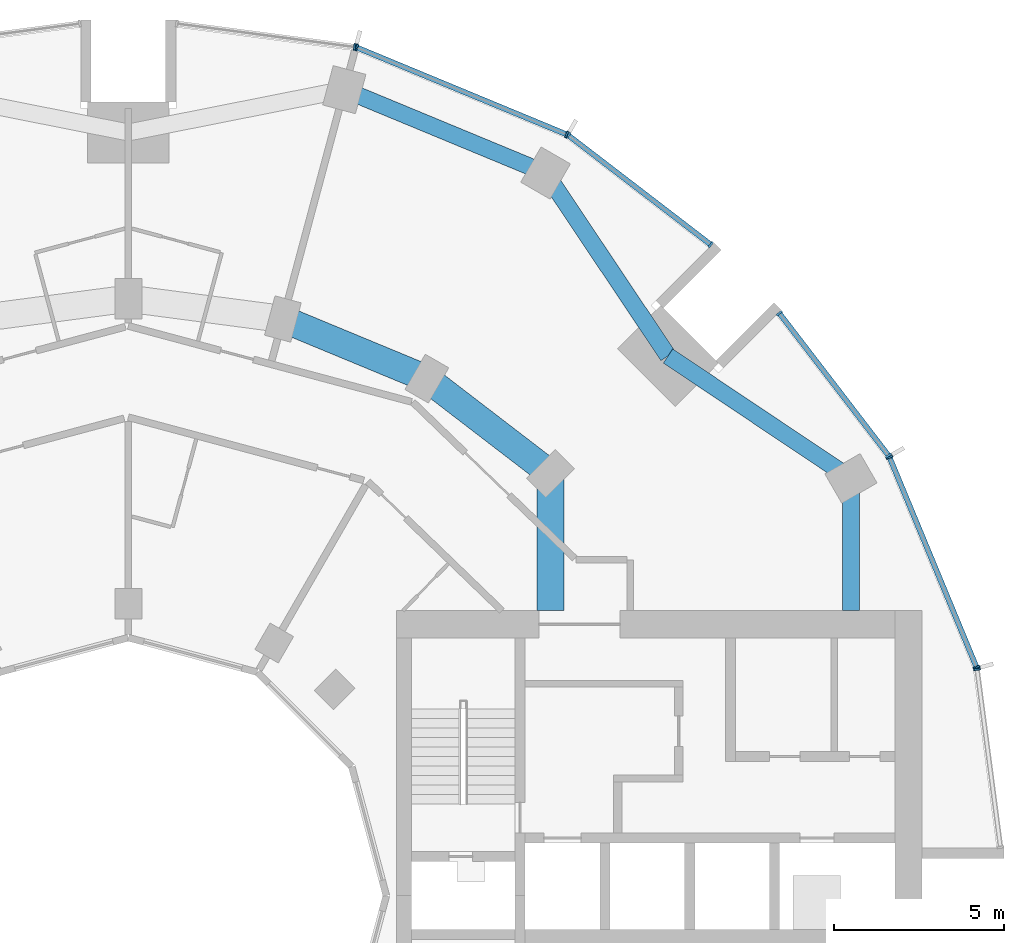
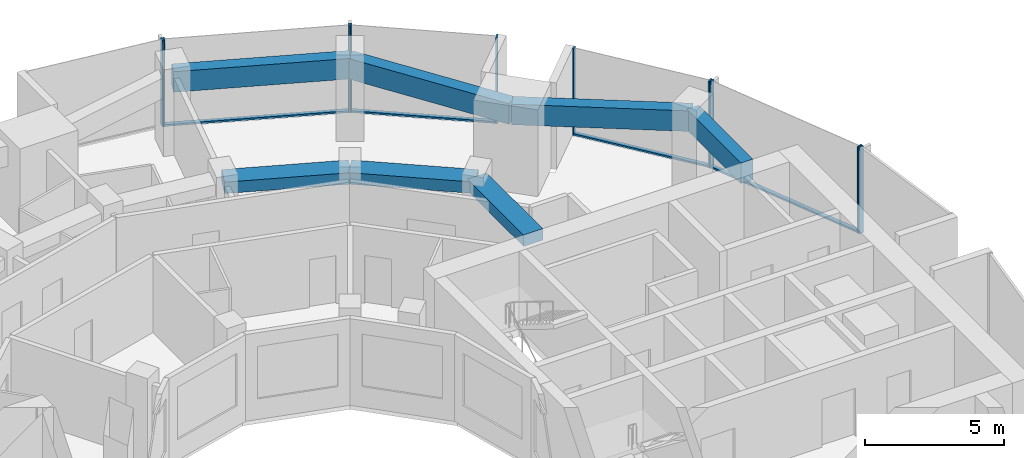
# One storey, part 6 of 15: 14 members, 7 beams, 6 elements without a shape of their own.
"""IFC4 building model written with IfcOpenShell, lengths in metres."""

from ifc_helpers import new_model, si_unit, direction, frame, origin, origin_2d, place, context, subcontext, project, spatial, rectangle, extrude, material, layer, layer_set, material_profile, profile_set, type_object, element, aggregate, save


model = new_model("IFC4")

# Units and contexts
model_context = context("Model", 3, precision=1e-05, world=origin(), true_north=direction((0.0, 1.0)))
body_context = subcontext(model_context, "Body", "Model", "MODEL_VIEW")
ifc_project = project(units=[si_unit("LENGTHUNIT", "METRE"), si_unit("AREAUNIT", "SQUARE_METRE"), si_unit("VOLUMEUNIT", "CUBIC_METRE"), si_unit("PLANEANGLEUNIT", "RADIAN"), si_unit("MASSUNIT", "GRAM", prefix="KILO")], contexts=[model_context])

# Site, building, storey
site_placement = place(None, origin())
site = spatial("IfcSite", under=ifc_project, at=site_placement, CompositionType="ELEMENT")
building_placement = place(site_placement, origin())
building = spatial("IfcBuilding", under=site, at=building_placement, Name="Torre Brocal", CompositionType="ELEMENT")
storey_placement = place(building_placement, frame((0.0, 0.0, 70.60009765625)))
storey = spatial("IfcBuildingStorey", under=building, at=storey_placement, Name="L16", CompositionType="ELEMENT", Elevation=70.60009765625)

# Curtain wall, members
ifc_material_1 = material(Name="Aluminium and glass", Category="aluminium")
ifc_layer_1 = layer(ifc_material_1, 0.199951171875)
ifc_layer_set_1 = layer_set([ifc_layer_1], Name="Aluminium and glass")
curtain_wall_type_1 = type_object("IfcCurtainWallType", Name="CW-1 CURTAIN WALL 3800 HIGH", PredefinedType="NOTDEFINED", material=ifc_layer_set_1)
curtain_wall_1_placement = place(storey_placement, origin())
curtain_wall_1 = element("IfcCurtainWall", 1, at=curtain_wall_1_placement, inside=storey, type_object=curtain_wall_type_1, Name="CW-1 RUN 2", PredefinedType="NOTDEFINED")
ifc_material_2 = material(Name="Aluminium, dark anodised", Category="aluminium")
ifc_material_profile_1 = material_profile(ifc_material_2, rectangle(XDim=0.199951171875, YDim=0.06005859375, at=origin_2d()), Name="CW-1 MULLION 60X200")
ifc_profile_set_1 = profile_set([ifc_material_profile_1], Name="Aluminium, dark anodised")
member_type_1 = type_object("IfcMemberType", Name="CW-1 MULLION 60X200", PredefinedType="MULLION", material=ifc_profile_set_1)
member_1_placement = place(storey_placement, frame((105.005126953125, 81.73095703125, 0.0), z_axis=(0.0, 0.0, 1.0), x_axis=(-0.923879532525, -0.382683432333, 0.0)))
member_1 = element("IfcMember", 2, at=member_1_placement, type_object=member_type_1, Name="CW1-1 mullion 1", PredefinedType="MULLION", context=body_context, shape_type="SweptSolid", body=[
    extrude(rectangle(XDim=0.199951171875, YDim=0.06005859375, at=origin_2d()), origin(), (0.0, 0.0, 1.0), 3.7998046875),
])
member_2_placement = place(storey_placement, frame((102.440673828125, 87.921875, 0.0), z_axis=(0.0, 0.0, 1.0), x_axis=(-0.923879532525, -0.382683432333, 0.0)))
member_2 = element("IfcMember", 3, at=member_2_placement, type_object=member_type_1, Name="CW1-1 mullion 2", PredefinedType="MULLION", context=body_context, shape_type="SweptSolid", body=[
    extrude(rectangle(XDim=0.199951171875, YDim=0.06005859375, at=origin_2d()), origin(), (0.0, 0.0, 1.0), 3.7998046875),
])

curtain_wall_2_placement = place(storey_placement, origin())
curtain_wall_2 = element("IfcCurtainWall", 4, at=curtain_wall_2_placement, inside=storey, type_object=curtain_wall_type_1, Name="CW-1 RUN 3", PredefinedType="NOTDEFINED")
member_3_placement = place(storey_placement, frame((102.4111328125, 87.973388671875, 0.0), z_axis=(0.0, 0.0, 1.0), x_axis=(-0.793353340259, -0.60876142905, 0.0)))
member_3 = element("IfcMember", 5, at=member_3_placement, type_object=member_type_1, Name="CW1-1 mullion 1", PredefinedType="MULLION", context=body_context, shape_type="SweptSolid", body=[
    extrude(rectangle(XDim=0.199951171875, YDim=0.06005859375, at=origin_2d()), origin(), (0.0, 0.0, 1.0), 3.7998046875),
])
member_4_placement = place(storey_placement, frame((99.19140625, 92.16943359375, 0.0), z_axis=(0.0, 0.0, 1.0), x_axis=(-0.793353340259, -0.60876142905, 0.0)))
member_4 = element("IfcMember", 6, at=member_4_placement, type_object=member_type_1, Name="CW1-1 mullion 2", PredefinedType="MULLION", context=body_context, shape_type="SweptSolid", body=[
    extrude(rectangle(XDim=0.199951171875, YDim=0.06005859375, at=origin_2d()), origin(), (0.0, 0.0, 1.0), 3.7998046875),
])

curtain_wall_3_placement = place(storey_placement, origin())
curtain_wall_3 = element("IfcCurtainWall", 7, at=curtain_wall_3_placement, inside=storey, type_object=curtain_wall_type_1, Name="CW-1 RUN 4", PredefinedType="NOTDEFINED")
member_5_placement = place(storey_placement, frame((97.16943359375, 94.19140625, 0.0), z_axis=(0.0, 0.0, 1.0), x_axis=(-0.60876142905, -0.793353340259, 0.0)))
member_5 = element("IfcMember", 8, at=member_5_placement, type_object=member_type_1, Name="CW1-1 mullion 1", PredefinedType="MULLION", context=body_context, shape_type="SweptSolid", body=[
    extrude(rectangle(XDim=0.199951171875, YDim=0.06005859375, at=origin_2d()), origin(), (0.0, 0.0, 1.0), 3.7998046875),
])
member_6_placement = place(storey_placement, frame((92.973388671875, 97.4111328125, 0.0), z_axis=(0.0, 0.0, 1.0), x_axis=(-0.60876142905, -0.793353340259, 0.0)))
member_6 = element("IfcMember", 9, at=member_6_placement, type_object=member_type_1, Name="CW1-1 mullion 2", PredefinedType="MULLION", context=body_context, shape_type="SweptSolid", body=[
    extrude(rectangle(XDim=0.199951171875, YDim=0.06005859375, at=origin_2d()), origin(), (0.0, 0.0, 1.0), 3.7998046875),
])

curtain_wall_4_placement = place(storey_placement, origin())
curtain_wall_4 = element("IfcCurtainWall", 10, at=curtain_wall_4_placement, inside=storey, type_object=curtain_wall_type_1, Name="CW-1 RUN 5", PredefinedType="NOTDEFINED")
member_7_placement = place(storey_placement, frame((92.921875, 97.440673828125, 0.0), z_axis=(0.0, 0.0, 1.0), x_axis=(-0.382683432333, -0.923879532525, 0.0)))
member_7 = element("IfcMember", 11, at=member_7_placement, type_object=member_type_1, Name="CW1-1 mullion 1", PredefinedType="MULLION", context=body_context, shape_type="SweptSolid", body=[
    extrude(rectangle(XDim=0.199951171875, YDim=0.06005859375, at=origin_2d()), origin(), (0.0, 0.0, 1.0), 3.7998046875),
])
member_8_placement = place(storey_placement, frame((86.73095703125, 100.005126953125, 0.0), z_axis=(0.0, 0.0, 1.0), x_axis=(-0.382683432333, -0.923879532525, 0.0)))
member_8 = element("IfcMember", 12, at=member_8_placement, type_object=member_type_1, Name="CW1-1 mullion 2", PredefinedType="MULLION", context=body_context, shape_type="SweptSolid", body=[
    extrude(rectangle(XDim=0.199951171875, YDim=0.06005859375, at=origin_2d()), origin(), (0.0, 0.0, 1.0), 3.7998046875),
])

# Curtain wall, member
curtain_wall_5_placement = place(storey_placement, origin())
curtain_wall_5 = element("IfcCurtainWall", 13, at=curtain_wall_5_placement, inside=storey, type_object=curtain_wall_type_1, Name="CW-1 RUN 6", PredefinedType="NOTDEFINED")
member_9_placement = place(storey_placement, frame((86.67333984375, 100.0205078125, 0.0), z_axis=(0.0, 0.0, 1.0), x_axis=(-0.13052619222, -0.991444861374, 0.0)))
member_9 = element("IfcMember", 14, at=member_9_placement, type_object=member_type_1, Name="CW1-1 mullion 1", PredefinedType="MULLION", context=body_context, shape_type="SweptSolid", body=[
    extrude(rectangle(XDim=0.199951171875, YDim=0.06005859375, at=origin_2d()), origin(), (0.0, 0.0, 1.0), 3.7998046875),
])
aggregate(curtain_wall_5, [member_9])

# Member
ifc_material_3 = material(Name="Aluminium, dark anodised", Category="aluminium")
ifc_material_profile_2 = material_profile(ifc_material_3, rectangle(XDim=0.159912109375, YDim=0.080078125, at=origin_2d()), Name="CW-1 TRANSOM 160X80")
ifc_profile_set_2 = profile_set([ifc_material_profile_2], Name="Aluminium, dark anodised")
member_type_2 = type_object("IfcMemberType", Name="CW-1 TRANSOM 160X80", PredefinedType="USERDEFINED", material=ifc_profile_set_2)
member_10_placement = place(storey_placement, frame((104.99365234375, 81.758544921875, 0.039794921875), z_axis=(-0.38266457234, 0.923887344364, 0.0), x_axis=(-0.923887344364, -0.38266457234, 0.0)))
member_10 = element("IfcMember", 15, at=member_10_placement, type_object=member_type_2, Name="CW1-1 transom 1.1", ObjectType="TRANSOM", PredefinedType="USERDEFINED", context=body_context, shape_type="SweptSolid", body=[
    extrude(rectangle(XDim=0.159912109375, YDim=0.080078125, at=origin_2d()), origin(), (0.0, 0.0, 1.0), 6.640869140625),
])

aggregate(curtain_wall_1, [member_1, member_2, member_10])

member_11_placement = place(storey_placement, frame((102.392822265625, 87.9970703125, 0.039794921875), z_axis=(-0.60874908096, 0.79336281513, 0.0), x_axis=(-0.79336281513, -0.60874908096, 0.0)))
member_11 = element("IfcMember", 16, at=member_11_placement, type_object=member_type_2, Name="CW1-1 transom 1.1", ObjectType="TRANSOM", PredefinedType="USERDEFINED", context=body_context, shape_type="SweptSolid", body=[
    extrude(rectangle(XDim=0.159912109375, YDim=0.080078125, at=origin_2d()), origin(), (0.0, 0.0, 1.0), 5.22900390625),
])

aggregate(curtain_wall_2, [member_3, member_4, member_11])

member_12_placement = place(storey_placement, frame((97.1455078125, 94.209716796875, 0.039794921875), z_axis=(-0.79336281513, 0.60874908096, 0.0), x_axis=(-0.60874908096, -0.79336281513, 0.0)))
member_12 = element("IfcMember", 17, at=member_12_placement, type_object=member_type_2, Name="CW1-1 transom 1.1", ObjectType="TRANSOM", PredefinedType="USERDEFINED", context=body_context, shape_type="SweptSolid", body=[
    extrude(rectangle(XDim=0.159912109375, YDim=0.080078125, at=origin_2d()), origin(), (0.0, 0.0, 1.0), 5.22900390625),
])

aggregate(curtain_wall_3, [member_5, member_6, member_12])

member_13_placement = place(storey_placement, frame((92.89404296875, 97.452392578125, 0.039794921875), z_axis=(-0.923887344364, 0.38266457234, 0.0), x_axis=(-0.38266457234, -0.923887344364, 0.0)))
member_13 = element("IfcMember", 18, at=member_13_placement, type_object=member_type_2, Name="CW1-1 transom 1.1", ObjectType="TRANSOM", PredefinedType="USERDEFINED", context=body_context, shape_type="SweptSolid", body=[
    extrude(rectangle(XDim=0.159912109375, YDim=0.080078125, at=origin_2d()), origin(), (0.0, 0.0, 1.0), 6.640869140625),
])

aggregate(curtain_wall_4, [member_7, member_8, member_13])

# Curtain wall, member
ifc_material_4 = material(Name="Aluminium and glass", Category="aluminium")
ifc_layer_2 = layer(ifc_material_4, 0.199951171875)
ifc_layer_set_2 = layer_set([ifc_layer_2], Name="Aluminium and glass")
curtain_wall_type_2 = type_object("IfcCurtainWallType", Name="CW-1B CURTAIN WALL 3800 HIGH", PredefinedType="NOTDEFINED", material=ifc_layer_set_2)
curtain_wall_6_placement = place(storey_placement, origin())
curtain_wall_6 = element("IfcCurtainWall", 19, at=curtain_wall_6_placement, inside=storey, type_object=curtain_wall_type_2, Name="CW-1B RUN 1", PredefinedType="NOTDEFINED")
ifc_material_5 = material(Name="Aluminium, dark anodised", Category="aluminium")
ifc_material_profile_3 = material_profile(ifc_material_5, rectangle(XDim=0.199951171875, YDim=0.06005859375, at=origin_2d()), Name="CW-1B MULLION 60X200")
ifc_profile_set_3 = profile_set([ifc_material_profile_3], Name="Aluminium, dark anodised")
member_type_3 = type_object("IfcMemberType", Name="CW-1B MULLION 60X200", PredefinedType="MULLION", material=ifc_profile_set_3)
member_14_placement = place(storey_placement, frame((105.0205078125, 81.67333984375, 0.0), z_axis=(0.0, 0.0, 1.0), x_axis=(-0.991444861374, -0.13052619222, 0.0)))
member_14 = element("IfcMember", 20, at=member_14_placement, type_object=member_type_3, Name="CW1B-1 mullion 2", PredefinedType="MULLION", context=body_context, shape_type="SweptSolid", body=[
    extrude(rectangle(XDim=0.199951171875, YDim=0.06005859375, at=origin_2d()), origin(), (0.0, 0.0, 1.0), 3.7998046875),
])
aggregate(curtain_wall_6, [member_14])

# Beams
ifc_material_6 = material(Name="Concrete C50", Category="concrete")
ifc_material_profile_4 = material_profile(ifc_material_6, rectangle(XDim=0.800048828125, YDim=0.5, at=origin_2d()), Name="RC 800X500")
ifc_profile_set_4 = profile_set([ifc_material_profile_4], Name="Concrete C50")
beam_type_1 = type_object("IfcBeamType", Name="RC BEAM 800X500 C50 TOP 3400", PredefinedType="BEAM", material=ifc_profile_set_4)
beam_1_placement = place(storey_placement, frame((92.445068359375, 87.445068359375, 3.14990234375), z_axis=(-0.793358265959, 0.6087550097, 0.0), x_axis=(-0.6087550097, -0.793358265959, 0.0)))
element("IfcBeam", 21, at=beam_1_placement, inside=storey, type_object=beam_type_1, Name="Beam BT-21", PredefinedType="BEAM", context=body_context, shape_type="SweptSolid", body=[
    extrude(rectangle(XDim=0.800048828125, YDim=0.5, at=origin_2d()), origin(), (0.0, 0.0, 1.0), 4.594482421875),
])
beam_2_placement = place(storey_placement, frame((88.800048828125, 90.241943359375, 3.14990234375), z_axis=(-0.923878240166, 0.382686552348, 0.0), x_axis=(-0.382686552348, -0.923878240166, 0.0)))
element("IfcBeam", 22, at=beam_2_placement, inside=storey, type_object=beam_type_1, Name="Beam BT-21", PredefinedType="BEAM", context=body_context, shape_type="SweptSolid", body=[
    extrude(rectangle(XDim=0.800048828125, YDim=0.5, at=origin_2d()), origin(), (0.0, 0.0, 1.0), 4.5947265625),
])
beam_3_placement = place(storey_placement, frame((92.445068359375, 87.445068359375, 3.14990234375), z_axis=(0.0, -1.0, 0.0), x_axis=(1.0, 0.0, 0.0)))
element("IfcBeam", 23, at=beam_3_placement, inside=storey, type_object=beam_type_1, Name="Beam BT-21", PredefinedType="BEAM", context=body_context, shape_type="SweptSolid", body=[
    extrude(rectangle(XDim=0.800048828125, YDim=0.5, at=origin_2d()), origin(), (0.0, 0.0, 1.0), 4.045166015625),
])
ifc_material_7 = material(Name="Concrete C50", Category="concrete")
ifc_material_profile_5 = material_profile(ifc_material_7, rectangle(XDim=0.5, YDim=0.89990234375, at=origin_2d()), Name="RC 500X900")
ifc_profile_set_5 = profile_set([ifc_material_profile_5], Name="Concrete C50")
beam_type_2 = type_object("IfcBeamType", Name="RC SPANDREL BEAM 500X900 C50 TOP 3400", PredefinedType="SPANDREL", material=ifc_profile_set_5)
for number, where, z_axis, x_axis, name in (
    (24, (101.30419921875, 87.300048828125, 2.949951171875), (-0.831076844476, 0.556157602282, 0.0), (-0.556157602282, -0.831076844476, 0.0), "Beam BT-22"),
    (25, (95.909912109375, 90.909912109375, 2.949951171875), (-0.556157602282, 0.831076844476, 0.0), (-0.831076844476, -0.556157602282, 0.0), "Beam BT-22"),
):
    element("IfcBeam", number, at=place(storey_placement, frame(where, z_axis=z_axis, x_axis=x_axis)), inside=storey, type_object=beam_type_2, Name=name, PredefinedType="SPANDREL", context=body_context, shape_type="SweptSolid", body=[
        extrude(rectangle(XDim=0.5, YDim=0.89990234375, at=origin_2d()), origin(), (0.0, 0.0, 1.0), 6.49072265625),
    ])
beam_4_placement = place(storey_placement, frame((92.300048828125, 96.30419921875, 2.949951171875), z_axis=(-0.923882462513, 0.382676358639, 0.0), x_axis=(-0.382676358639, -0.923882462513, 0.0)))
element("IfcBeam", 26, at=beam_4_placement, inside=storey, type_object=beam_type_2, Name="Beam BT-22", PredefinedType="SPANDREL", context=body_context, shape_type="SweptSolid", body=[
    extrude(rectangle(XDim=0.5, YDim=0.89990234375, at=origin_2d()), origin(), (0.0, 0.0, 1.0), 6.421875),
])
beam_5_placement = place(storey_placement, frame((101.30419921875, 87.300048828125, 2.949951171875), z_axis=(0.0, -1.0, 0.0), x_axis=(1.0, 0.0, 0.0)))
element("IfcBeam", 27, at=beam_5_placement, inside=storey, type_object=beam_type_2, Name="Beam BT-22", PredefinedType="SPANDREL", context=body_context, shape_type="SweptSolid", body=[
    extrude(rectangle(XDim=0.5, YDim=0.89990234375, at=origin_2d()), origin(), (0.0, 0.0, 1.0), 3.900146484375),
])

save(model, "model.ifc")
